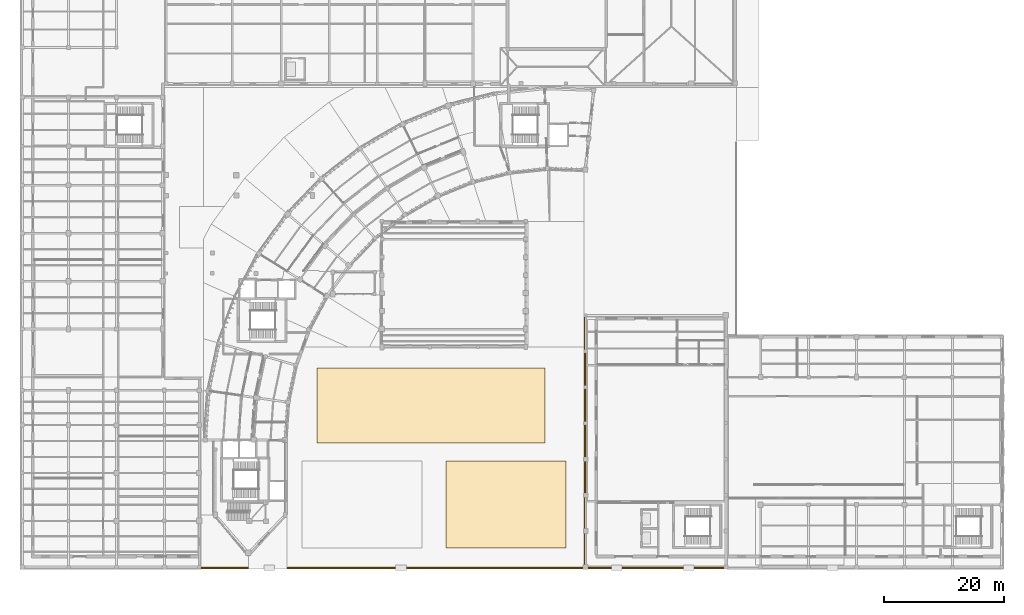
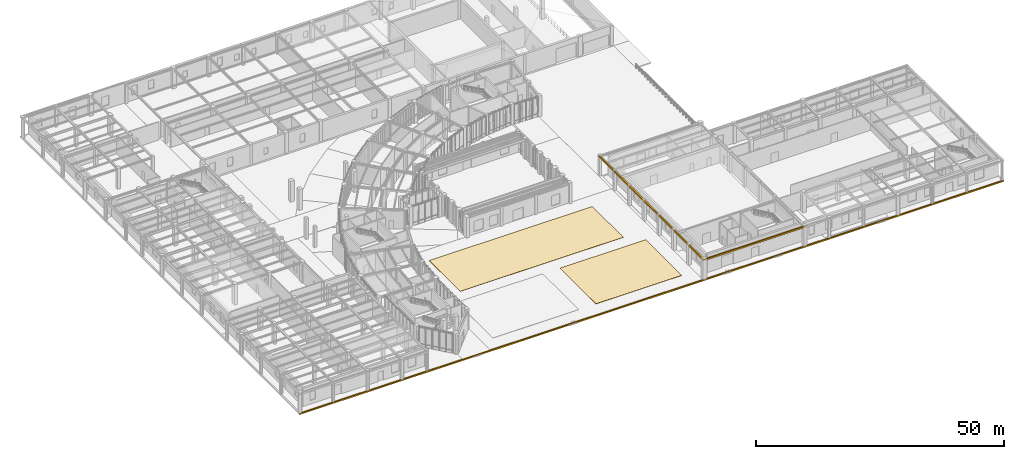
# One storey, part 59 of 68: 5 coverings.
"""IFC4 building model written with IfcOpenShell, lengths in metres."""

import ifcopenshell
import ifcopenshell.guid

model = None  # the IFC model being written
_history = None  # IfcOwnerHistory: only IFC2X3 demands one
_inside = {}  # id of a spatial element -> (the spatial element, [elements in it])
_under = {}  # id of a project, library or spatial element -> (it, [spatial elements below it])
_declared = {}  # id of a project -> (the project, [libraries it declares])
_typed = {}  # id of a type object -> (the type object, [elements of that type])
_made_of = {}  # id of a material, layer set ... -> (it, [elements and type objects made of it])


def new_model(schema):
    """Start an empty IFC model of exactly this schema.

    Asked for "IFC4X3", IfcOpenShell would pick the latest addendum, in which some entities
    have other attributes; the version numbers below select the first issue.
    IFC2X3 requires an IfcOwnerHistory on every rooted entity: one is made here for all.
    """
    global model, _history
    if schema == "IFC4X3":
        model = ifcopenshell.file(schema_version=(4, 3, 0, 0))
    else:
        model = ifcopenshell.file(schema=schema)
    _inside.clear()
    _under.clear()
    _declared.clear()
    _typed.clear()
    _made_of.clear()
    _history = None
    if model.schema == "IFC2X3":
        org = make("IfcOrganization", Name="unknown")
        user = make(
            "IfcPersonAndOrganization",
            ThePerson=make("IfcPerson", FamilyName="unknown"),
            TheOrganization=org,
        )
        app = make(
            "IfcApplication",
            ApplicationDeveloper=org,
            Version="unknown",
            ApplicationFullName="unknown",
            ApplicationIdentifier="unknown",
        )
        _history = make(
            "IfcOwnerHistory",
            OwningUser=user,
            OwningApplication=app,
            ChangeAction="ADDED",
            CreationDate=0,
        )
    return model


def make(cls, **values):
    """One entity of the class cls with the attributes given. An attribute that is None is left unset."""
    return model.create_entity(
        cls, **{name: value for name, value in values.items() if value is not None}
    )


def rooted(cls, **values):
    """An entity with a GlobalId (a new one), such as an element, a storey or a relation."""
    return make(cls, GlobalId=ifcopenshell.guid.new(), OwnerHistory=_history, **values)


def si_unit(unit_type, name, prefix=None):
    """IfcSIUnit, for example si_unit("LENGTHUNIT", "METRE", prefix="MILLI")."""
    return make("IfcSIUnit", UnitType=unit_type, Prefix=prefix, Name=name)


def assignment(units):
    """IfcUnitAssignment: the units of a project."""
    return None if units is None else make("IfcUnitAssignment", Units=units)


def point(xyz):
    """IfcCartesianPoint."""
    return None if xyz is None else make("IfcCartesianPoint", Coordinates=xyz)


def direction(xyz):
    """IfcDirection."""
    return None if xyz is None else make("IfcDirection", DirectionRatios=xyz)


def frame(location, z_axis=None, x_axis=None):
    """IfcAxis2Placement3D, a coordinate frame: its origin and axes. An axis left out is left unset."""
    return make(
        "IfcAxis2Placement3D",
        Location=point(location),
        Axis=direction(z_axis),
        RefDirection=direction(x_axis),
    )


def frame_2d(location, x_axis=None):
    """IfcAxis2Placement2D, a coordinate frame in the plane: its origin and x axis."""
    return make(
        "IfcAxis2Placement2D", Location=point(location), RefDirection=direction(x_axis)
    )


def origin():
    """The frame at (0, 0, 0) with its axes left unset."""
    return frame((0.0, 0.0, 0.0))


def origin_2d():
    """The frame at (0, 0) in the plane with its x axis left unset."""
    return frame_2d((0.0, 0.0))


def place(relative_to, where):
    """IfcLocalPlacement: puts the frame where relative to a parent placement (None: the world)."""
    return make(
        "IfcLocalPlacement", PlacementRelTo=relative_to, RelativePlacement=where
    )


def context(
    kind, dimensions, precision=None, world=None, true_north=None, identifier=None
):
    """IfcGeometricRepresentationContext, for example the 3D "Model" context."""
    return make(
        "IfcGeometricRepresentationContext",
        ContextIdentifier=identifier,
        ContextType=kind,
        CoordinateSpaceDimension=dimensions,
        Precision=precision,
        WorldCoordinateSystem=world,
        TrueNorth=true_north,
    )


def subcontext(parent, identifier, kind, view, scale=None):
    """IfcGeometricRepresentationSubContext, for example "Body" below "Model"."""
    return make(
        "IfcGeometricRepresentationSubContext",
        ContextIdentifier=identifier,
        ContextType=kind,
        ParentContext=parent,
        TargetScale=scale,
        TargetView=view,
    )


def project(units=None, contexts=None):
    """IfcProject with its units and contexts."""
    return rooted(
        "IfcProject",
        Name="project",
        RepresentationContexts=contexts,
        UnitsInContext=assignment(units),
    )


def spatial(cls, under=None, at=None, **own):
    """A site, building, storey or space (cls), placed at a placement, below another one or the project."""
    s = rooted(cls, ObjectPlacement=at, **own)
    if under is not None:
        _under.setdefault(under.id(), (under, []))[1].append(s)
    return s


def polyline(points):
    """IfcPolyline through the points."""
    return make("IfcPolyline", Points=[point(p) for p in points])


def profile(cls, at=None, kind="AREA", **sizes):
    """A parametric profile (cls). Its sizes go by their IFC names, for example OverallWidth=200.0."""
    return make(cls, ProfileType=kind, Position=at, **sizes)


def rectangle(**sizes):
    """IfcRectangleProfileDef."""
    return profile("IfcRectangleProfileDef", **sizes)


def outline(outer, holes=None, kind="AREA"):
    """IfcArbitraryClosedProfileDef: a profile drawn as a closed curve; with holes, ...WithVoids."""
    if holes is None:
        return make("IfcArbitraryClosedProfileDef", ProfileType=kind, OuterCurve=outer)
    return make(
        "IfcArbitraryProfileDefWithVoids",
        ProfileType=kind,
        OuterCurve=outer,
        InnerCurves=holes,
    )


def extrude(swept, where, along, depth):
    """IfcExtrudedAreaSolid: the profile swept, set in the frame where, extruded along a direction by depth."""
    return make(
        "IfcExtrudedAreaSolid",
        SweptArea=swept,
        Position=where,
        ExtrudedDirection=direction(along),
        Depth=depth,
    )


def shape(context_of_items, identifier, shape_type, items):
    """IfcShapeRepresentation: the items that make up one representation, for example the "Body"."""
    return make(
        "IfcShapeRepresentation",
        ContextOfItems=context_of_items,
        RepresentationIdentifier=identifier,
        RepresentationType=shape_type,
        Items=items,
    )


def material(Name=None, Category=None):
    """IfcMaterial."""
    return make("IfcMaterial", Name=Name, Category=Category)


def layer(
    of_material, thickness, ventilated=None, Name=None, Category=None, Priority=None
):
    """IfcMaterialLayer: one layer of a wall or slab, of a material (None: an air gap)."""
    return make(
        "IfcMaterialLayer",
        Material=of_material,
        LayerThickness=thickness,
        IsVentilated=ventilated,
        Name=Name,
        Category=Category,
        Priority=Priority,
    )


def layer_set(layers, Name=None):
    """IfcMaterialLayerSet."""
    return make("IfcMaterialLayerSet", MaterialLayers=layers, LayerSetName=Name)


def made_of(thing, what):
    """Note that an element or type object is made of a material, layer set ...; save() writes the relation."""
    if what is not None:
        _made_of.setdefault(what.id(), (what, []))[1].append(thing)
    return thing


def type_object(cls, material=None, **own):
    """A type object (cls), such as IfcWallType, which elements share."""
    return made_of(rooted(cls, **own), material)


def element(
    cls,
    number,
    at=None,
    inside=None,
    cuts=None,
    type_object=None,
    material=None,
    context=None,
    identifier="Body",
    shape_type=None,
    held_by="IfcProductDefinitionShape",
    body=None,
    shapes=None,
    **own,
):
    """One element of the class cls, such as IfcWall. Its Tag is "e" and its number.

    at: its placement. inside: the storey or other place that contains it. cuts: it is an
    opening in that element (IfcRelVoidsElement). A single representation is given by context,
    identifier, shape_type and body (its items); several are given by shapes. held_by: the class
    of the entity that holds the representations. save() writes the other relations.
    """
    e = rooted(cls, Tag="e%d" % number, ObjectPlacement=at, **own)
    if body is not None:
        shapes = [shape(context, identifier, shape_type, body)]
    if shapes is not None:
        e.Representation = make(held_by, Representations=shapes)
    if inside is not None:
        _inside.setdefault(inside.id(), (inside, []))[1].append(e)
    if cuts is not None:
        rooted(
            "IfcRelVoidsElement", RelatingBuildingElement=cuts, RelatedOpeningElement=e
        )
    if type_object is not None:
        _typed.setdefault(type_object.id(), (type_object, []))[1].append(e)
    return made_of(e, material)


def aggregate(whole, parts):
    """IfcRelAggregates: a whole, such as a stair, and the parts it consists of."""
    return rooted("IfcRelAggregates", RelatingObject=whole, RelatedObjects=parts)


def save(model, path):
    """Write the relations noted so far, then the file.

    IfcRelAggregates (storeys below a building ...), IfcRelContainedInSpatialStructure (elements
    in a storey), IfcRelDefinesByType, IfcRelAssociatesMaterial and IfcRelDeclares: one each for
    every whole, place, type object, material and project.
    """
    for whole, parts in _under.values():
        aggregate(whole, parts)
    for where, things in _inside.values():
        rooted(
            "IfcRelContainedInSpatialStructure",
            RelatedElements=things,
            RelatingStructure=where,
        )
    for kind, things in _typed.values():
        rooted("IfcRelDefinesByType", RelatedObjects=things, RelatingType=kind)
    for what, things in _made_of.values():
        rooted("IfcRelAssociatesMaterial", RelatedObjects=things, RelatingMaterial=what)
    for by, libraries in _declared.values():
        rooted("IfcRelDeclares", RelatingContext=by, RelatedDefinitions=libraries)
    model.write(path)


model = new_model("IFC4")

# Units and contexts
model_context = context("Model", 3, precision=1e-05, world=origin(), true_north=direction((0.0, 1.0)))
body_context = subcontext(model_context, "Body", "Model", "MODEL_VIEW")
ifc_project = project(units=[si_unit("LENGTHUNIT", "METRE"), si_unit("AREAUNIT", "SQUARE_METRE"), si_unit("VOLUMEUNIT", "CUBIC_METRE"), si_unit("PLANEANGLEUNIT", "RADIAN"), si_unit("MASSUNIT", "GRAM", prefix="KILO"), si_unit("THERMODYNAMICTEMPERATUREUNIT", "KELVIN"), si_unit("POWERUNIT", "WATT")], contexts=[model_context])

# Site, building, storey
site_placement = place(None, origin())
site = spatial("IfcSite", under=ifc_project, at=site_placement, CompositionType="ELEMENT")
building_placement = place(site_placement, origin())
building = spatial("IfcBuilding", under=site, at=building_placement, Name="Solvatero Civic Police Headquarters", CompositionType="ELEMENT")
storey_placement = place(building_placement, origin())
storey = spatial("IfcBuildingStorey", under=building, at=storey_placement, Name="L00", CompositionType="ELEMENT", Elevation=0.0)

# Coverings
ifc_material_1 = material(Name="Lombard Terracotta Clay Tile", Category="masonry")
ifc_layer_1 = layer(ifc_material_1, 0.06005859375)
ifc_layer_set_1 = layer_set([ifc_layer_1], Name="Lombard Terracotta Clay Tile")
covering_type_1 = type_object("IfcCoveringType", Name="COV-RF-TILE", PredefinedType="ROOFING", material=ifc_layer_set_1)
covering_1_placement = place(storey_placement, origin())
element("IfcCovering", 1, at=covering_1_placement, inside=storey, type_object=covering_type_1, Name="Civic Forecourt Parterre PARVIS-LAWN-E", PredefinedType="FLOORING", context=body_context, shape_type="SweptSolid", body=[
    extrude(outline(polyline([(75.5, 8.0), (95.5, 8.0), (95.5, 22.5), (75.5, 22.5), (75.5, 8.0)])), origin(), (0.0, 0.0, 1.0), 0.050048828125),
])
covering_2_placement = place(storey_placement, origin())
element("IfcCovering", 2, at=covering_2_placement, inside=storey, type_object=covering_type_1, Name="Civic Forecourt Parterre PARVIS-PARTERRE-N", PredefinedType="FLOORING", context=body_context, shape_type="SweptSolid", body=[
    extrude(outline(polyline([(54.0, 25.5), (92.0, 25.5), (92.0, 38.0), (54.0, 38.0), (54.0, 25.5)])), origin(), (0.0, 0.0, 1.0), 0.050048828125),
])
ifc_material_2 = material(Name="Anodized Bronze Aluminium", Category="aluminium")
ifc_layer_2 = layer(ifc_material_2, 0.0400390625)
ifc_layer_set_2 = layer_set([ifc_layer_2], Name="Anodized Bronze Aluminium")
covering_type_2 = type_object("IfcCoveringType", Name="COV-RF-ZINC", PredefinedType="ROOFING", material=ifc_layer_set_2)
covering_3_placement = place(storey_placement, frame((0.0, 0.0, -0.300048828125)))
element("IfcCovering", 3, at=covering_3_placement, inside=storey, type_object=covering_type_2, Name="L00 Perimeter Bronze Plinth Skirt PLINTH-S", PredefinedType="CLADDING", context=body_context, shape_type="SweptSolid", body=[
    extrude(outline(polyline([(4.5, 4.5), (168.5, 4.5), (168.5, 4.800048828125), (4.5, 4.800048828125), (4.5, 4.5)])), origin(), (0.0, 0.0, 1.0), 0.300048828125),
])
ifc_material_3 = material(Name="Cream Limestone Ashlar", Category="masonry")
ifc_layer_3 = layer(ifc_material_3, 0.10009765625)
ifc_layer_set_3 = layer_set([ifc_layer_3], Name="Cream Limestone Ashlar")
covering_type_3 = type_object("IfcCoveringType", Name="COV-TRIM-STONE", PredefinedType="CLADDING", material=ifc_layer_set_3)
covering_4_placement = place(storey_placement, frame((98.699951171875, 25.800048828125, 4.60009765625), z_axis=(0.0, 0.0, 1.0), x_axis=(1.0, 0.0, 0.0)))
element("IfcCovering", 4, at=covering_4_placement, inside=storey, type_object=covering_type_3, Name="Classical Limestone Trim TRIM-V1-L00-W", PredefinedType="CLADDING", context=body_context, shape_type="SweptSolid", body=[
    extrude(rectangle(XDim=0.300048828125, YDim=42.0, at=origin_2d()), origin(), (0.0, 0.0, 1.0), 0.360107421875),
])
covering_5_placement = place(storey_placement, frame((110.5, 4.64990234375, 4.60009765625), z_axis=(0.0, 0.0, 1.0), x_axis=(1.0, 0.0, 0.0)))
element("IfcCovering", 5, at=covering_5_placement, inside=storey, type_object=covering_type_3, Name="Classical Limestone Trim TRIM-V1-L00-S", PredefinedType="CLADDING", context=body_context, shape_type="SweptSolid", body=[
    extrude(rectangle(XDim=24.0, YDim=0.300048828125, at=origin_2d()), origin(), (0.0, 0.0, 1.0), 0.360107421875),
])

save(model, "model.ifc")
